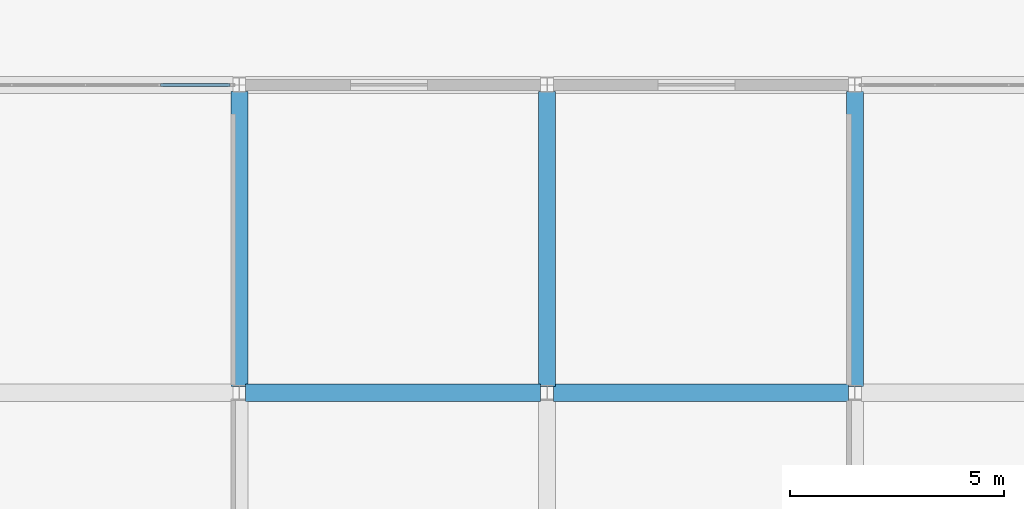
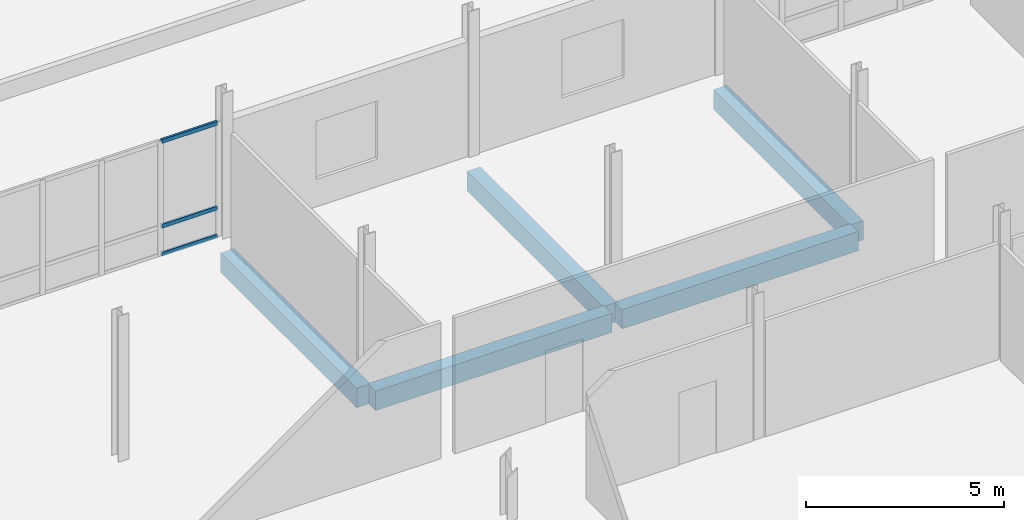
# One storey, part 86 of 139: 5 beams, 3 members, 1 element without a shape of its own.
"""IFC4 building model written with IfcOpenShell, lengths in metres."""

from ifc_helpers import new_model, si_unit, direction, frame, origin, origin_2d, place, context, subcontext, project, spatial, rectangle, hollow_rectangle, extrude, material, material_profile, profile_set, type_object, element, aggregate, save


model = new_model("IFC4")

# Units and contexts
model_context = context("Model", 3, precision=1e-05, world=origin(), true_north=direction((0.0, 1.0)))
body_context = subcontext(model_context, "Body", "Model", "MODEL_VIEW")
ifc_project = project(units=[si_unit("LENGTHUNIT", "METRE"), si_unit("AREAUNIT", "SQUARE_METRE"), si_unit("VOLUMEUNIT", "CUBIC_METRE"), si_unit("PLANEANGLEUNIT", "RADIAN"), si_unit("MASSUNIT", "GRAM", prefix="KILO")], contexts=[model_context])

# Site, building, storey
site_placement = place(None, origin())
site = spatial("IfcSite", under=ifc_project, at=site_placement, CompositionType="ELEMENT")
building_placement = place(site_placement, origin())
building = spatial("IfcBuilding", under=site, at=building_placement, Name="Suanplinth Sawtooth Commons", CompositionType="ELEMENT")
storey_placement = place(building_placement, origin())
storey = spatial("IfcBuildingStorey", under=building, at=storey_placement, Name="L00", CompositionType="ELEMENT", Elevation=0.0)

# Beams
ifc_material_1 = material(Name="Precast concrete C40/50", Category="concrete")
ifc_material_profile_1 = material_profile(ifc_material_1, rectangle(XDim=0.39990234375, YDim=0.60009765625, at=origin_2d()), Name="PC-GDR 400x600")
ifc_profile_set_1 = profile_set([ifc_material_profile_1], Name="Precast concrete C40/50")
beam_type = type_object("IfcBeamType", Name="B-05", PredefinedType="USERDEFINED", material=ifc_profile_set_1)
beam_1_placement = place(storey_placement, frame((144.14990234375, 64.800048828125, -0.719970703125), z_axis=(1.0, 0.0, 0.0), x_axis=(0.0, 1.0, 0.0)))
element("IfcBeam", 1, at=beam_1_placement, inside=storey, type_object=beam_type, Name="BMX-L00-NURS-20-9", ObjectType="GIRDER", PredefinedType="USERDEFINED", context=body_context, shape_type="SweptSolid", body=[
    extrude(rectangle(XDim=0.39990234375, YDim=0.60009765625, at=origin_2d()), origin(), (0.0, 0.0, 1.0), 6.900146484375),
])
beam_2_placement = place(storey_placement, frame((151.35009765625, 64.800048828125, -0.719970703125), z_axis=(1.0, 0.0, 0.0), x_axis=(0.0, 1.0, 0.0)))
element("IfcBeam", 2, at=beam_2_placement, inside=storey, type_object=beam_type, Name="BMX-L00-NURS-21-9", ObjectType="GIRDER", PredefinedType="USERDEFINED", context=body_context, shape_type="SweptSolid", body=[
    extrude(rectangle(XDim=0.39990234375, YDim=0.60009765625, at=origin_2d()), origin(), (0.0, 0.0, 1.0), 6.89990234375),
])
for number, where, z_axis, x_axis, name in (
    (3, (144.0, 64.949951171875, -0.719970703125), (0.0, 1.0, 0.0), (-1.0, 0.0, 0.0), "BMY-L00-NURS-20-9"),
    (4, (151.199951171875, 64.949951171875, -0.719970703125), (0.0, 1.0, 0.0), (-1.0, 0.0, 0.0), "BMY-L00-NURS-21-9"),
    (5, (158.39990234375, 64.949951171875, -0.719970703125), (0.0, 1.0, 0.0), (-1.0, 0.0, 0.0), "BMY-L00-NURS-22-9"),
):
    element("IfcBeam", number, at=place(storey_placement, frame(where, z_axis=z_axis, x_axis=x_axis)), inside=storey, type_object=beam_type, Name=name, ObjectType="GIRDER", PredefinedType="USERDEFINED", context=body_context, shape_type="SweptSolid", body=[
        extrude(rectangle(XDim=0.39990234375, YDim=0.60009765625, at=origin_2d()), origin(), (0.0, 0.0, 1.0), 6.900146484375),
    ])

# Curtain wall, members
ifc_material_2 = material(Name="Anodized aluminium and low-E glazing", Category="aluminium")
curtain_wall_type = type_object("IfcCurtainWallType", Name="CW-02", PredefinedType="USERDEFINED", material=ifc_material_2)
curtain_wall_placement = place(storey_placement, origin())
curtain_wall = element("IfcCurtainWall", 6, at=curtain_wall_placement, inside=storey, type_object=curtain_wall_type, Name="Curtain Wall CW-L00-NURS-N-19", ObjectType="CURTAIN WALL", PredefinedType="USERDEFINED")
ifc_material_3 = material(Name="Anodized aluminium 6063-T6", Category="aluminium")
ifc_material_profile_2 = material_profile(ifc_material_3, hollow_rectangle(XDim=0.06494140625, YDim=0.1201171875, WallThickness=0.00390625, at=origin_2d()), Name="ALU-TRN 65x120")
ifc_profile_set_2 = profile_set([ifc_material_profile_2], Name="Anodized aluminium 6063-T6")
member_type = type_object("IfcMemberType", Name="M-15", PredefinedType="USERDEFINED", material=ifc_profile_set_2)
member_1_placement = place(storey_placement, frame((142.157470703125, 72.0, 0.032470703125), z_axis=(1.0, 0.0, 0.0), x_axis=(0.0, 1.0, 0.0)))
member_1 = element("IfcMember", 7, at=member_1_placement, type_object=member_type, Name="CW-02 transom 4.1", ObjectType="TRANSOM", PredefinedType="USERDEFINED", context=body_context, shape_type="SweptSolid", body=[
    extrude(hollow_rectangle(XDim=0.06494140625, YDim=0.1201171875, WallThickness=0.00390625, at=origin_2d()), origin(), (0.0, 0.0, 1.0), 1.62744140625),
])
member_2_placement = place(storey_placement, frame((142.157470703125, 72.0, 0.89990234375), z_axis=(1.0, 0.0, 0.0), x_axis=(0.0, 1.0, 0.0)))
member_2 = element("IfcMember", 8, at=member_2_placement, type_object=member_type, Name="CW-02 transom 4.2", ObjectType="TRANSOM", PredefinedType="USERDEFINED", context=body_context, shape_type="SweptSolid", body=[
    extrude(hollow_rectangle(XDim=0.06494140625, YDim=0.1201171875, WallThickness=0.00390625, at=origin_2d()), origin(), (0.0, 0.0, 1.0), 1.62744140625),
])
member_3_placement = place(storey_placement, frame((142.157470703125, 72.0, 3.517578125), z_axis=(1.0, 0.0, 0.0), x_axis=(0.0, 1.0, 0.0)))
member_3 = element("IfcMember", 9, at=member_3_placement, type_object=member_type, Name="CW-02 transom 4.3", ObjectType="TRANSOM", PredefinedType="USERDEFINED", context=body_context, shape_type="SweptSolid", body=[
    extrude(hollow_rectangle(XDim=0.06494140625, YDim=0.1201171875, WallThickness=0.00390625, at=origin_2d()), origin(), (0.0, 0.0, 1.0), 1.62744140625),
])
aggregate(curtain_wall, [member_1, member_2, member_3])

save(model, "model.ifc")
